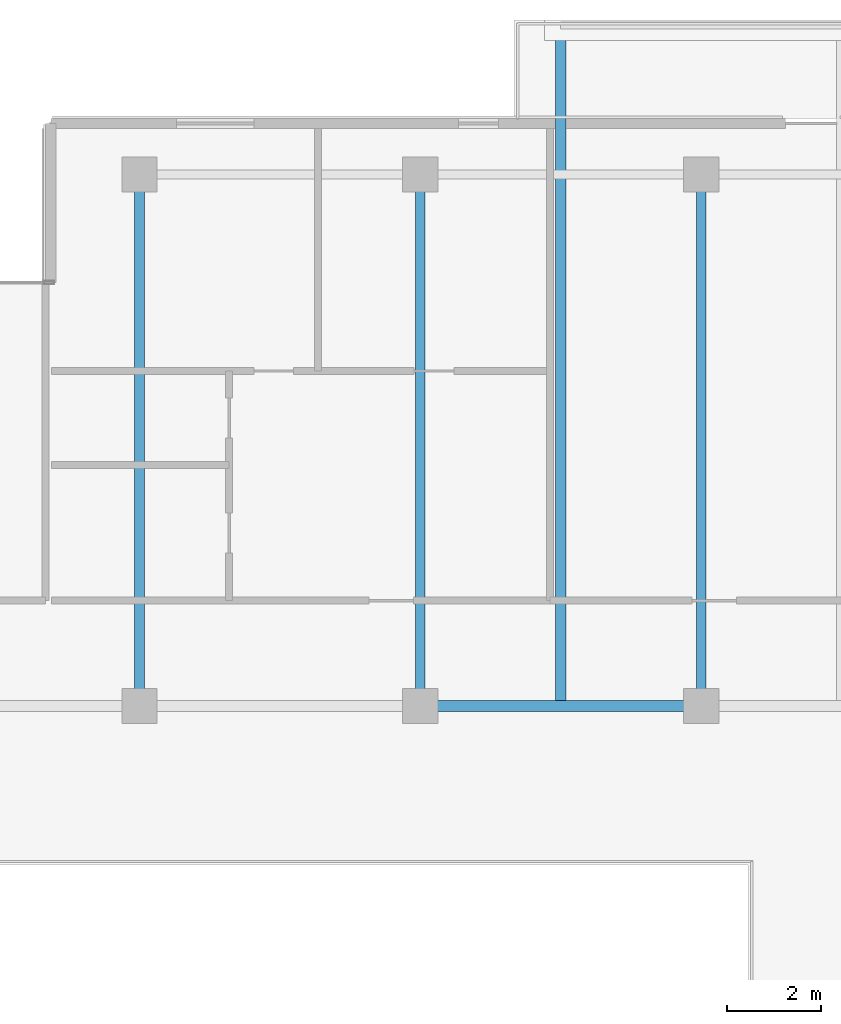
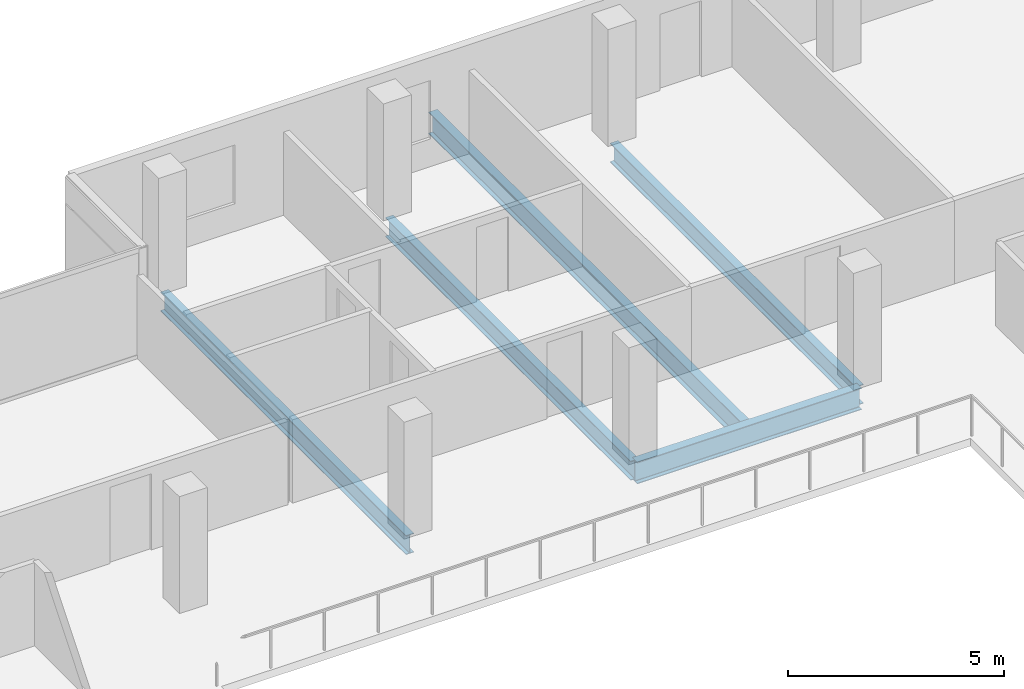
# One storey, part 11 of 28: 5 beams.
"""IFC4 building model written with IfcOpenShell, lengths in metres."""

from ifc_helpers import new_model, si_unit, direction, frame, origin, origin_2d, place, context, subcontext, project, spatial, i_section, extrude, material, material_profile, profile_set, type_object, element, save


model = new_model("IFC4")

# Units and contexts
model_context = context("Model", 3, precision=1e-05, world=origin(), true_north=direction((0.0, 1.0)))
body_context = subcontext(model_context, "Body", "Model", "MODEL_VIEW")
ifc_project = project(units=[si_unit("LENGTHUNIT", "METRE"), si_unit("AREAUNIT", "SQUARE_METRE"), si_unit("VOLUMEUNIT", "CUBIC_METRE"), si_unit("PLANEANGLEUNIT", "RADIAN"), si_unit("MASSUNIT", "GRAM", prefix="KILO")], contexts=[model_context])

# Site, building, storey
site_placement = place(None, origin())
site = spatial("IfcSite", under=ifc_project, at=site_placement, CompositionType="ELEMENT")
building_placement = place(site_placement, origin())
building = spatial("IfcBuilding", under=site, at=building_placement, Name="Tanjung Sevakor Pilgrim Tower", CompositionType="ELEMENT")
storey_placement = place(building_placement, frame((0.0, 0.0, 222.75)))
storey = spatial("IfcBuildingStorey", under=building, at=storey_placement, Name="L62", CompositionType="ELEMENT", Elevation=222.75)

# Beams
ifc_material_1 = material(Name="Steel S355J2", Category="steel")
ifc_material_profile_1 = material_profile(ifc_material_1, i_section(OverallWidth=0.22900390625, OverallDepth=0.6123046875, WebThickness=0.011962890625, FlangeThickness=0.01953125, FilletRadius=0.0126953125, at=origin_2d()))
ifc_profile_set_1 = profile_set([ifc_material_profile_1], Name="Steel S355J2")
beam_type_1 = type_object("IfcBeamType", Name="BM-B-G4-UB_610x229x125", PredefinedType="BEAM", material=ifc_profile_set_1)
beam_1_placement = place(storey_placement, frame((60.0, 42.60009765625, -0.526123046875), z_axis=(1.0, 0.0, 0.0), x_axis=(0.0, 1.0, 0.0)))
element("IfcBeam", 1, at=beam_1_placement, inside=storey, type_object=beam_type_1, Name="L62 Primary Floor Girder MAIN Y426-06", PredefinedType="BEAM", context=body_context, shape_type="SweptSolid", body=[
    extrude(i_section(OverallWidth=0.22900390625, OverallDepth=0.6123046875, WebThickness=0.011962890625, FlangeThickness=0.01953125, FilletRadius=0.0126953125, at=origin_2d()), origin(), (0.0, 0.0, 1.0), 6.0),
])
beam_2_placement = place(storey_placement, frame((63.0, 42.714599609375, -0.526123046875), z_axis=(0.0, 1.0, 0.0), x_axis=(-1.0, 0.0, 0.0)))
element("IfcBeam", 2, at=beam_2_placement, inside=storey, type_object=beam_type_1, Name="L62 Balcony Cantilever Beam MAIN-N2-1", PredefinedType="BEAM", context=body_context, shape_type="SweptSolid", body=[
    extrude(i_section(OverallWidth=0.22900390625, OverallDepth=0.6123046875, WebThickness=0.011962890625, FlangeThickness=0.01953125, FilletRadius=0.0126953125, at=origin_2d()), origin(), (0.0, 0.0, 1.0), 14.415283203125),
])
ifc_material_2 = material(Name="Steel S355J2", Category="steel")
ifc_material_profile_2 = material_profile(ifc_material_2, i_section(OverallWidth=0.2119140625, OverallDepth=0.54443359375, WebThickness=0.0126953125, FlangeThickness=0.021240234375, FilletRadius=0.0126953125, at=origin_2d()))
ifc_profile_set_2 = profile_set([ifc_material_profile_2], Name="Steel S355J2")
beam_type_2 = type_object("IfcBeamType", Name="BM-B-G5-UB_533x210x122", PredefinedType="BEAM", material=ifc_profile_set_2)
for number, where, z_axis, x_axis, name in (
    (3, (54.0, 42.60009765625, -0.4921875), (0.0, 1.0, 0.0), (-1.0, 0.0, 0.0), "L62 MAIN Girder 007"),
    (4, (60.0, 42.60009765625, -0.4921875), (0.0, 1.0, 0.0), (-1.0, 0.0, 0.0), "L62 MAIN Girder 009"),
    (5, (66.0, 42.60009765625, -0.4921875), (0.0, 1.0, 0.0), (-1.0, 0.0, 0.0), "L62 MAIN Girder 011"),
):
    element("IfcBeam", number, at=place(storey_placement, frame(where, z_axis=z_axis, x_axis=x_axis)), inside=storey, type_object=beam_type_2, Name=name, PredefinedType="BEAM", context=body_context, shape_type="SweptSolid", body=[
        extrude(i_section(OverallWidth=0.2119140625, OverallDepth=0.54443359375, WebThickness=0.0126953125, FlangeThickness=0.021240234375, FilletRadius=0.0126953125, at=origin_2d()), origin(), (0.0, 0.0, 1.0), 11.349853515625),
    ])

save(model, "model.ifc")
